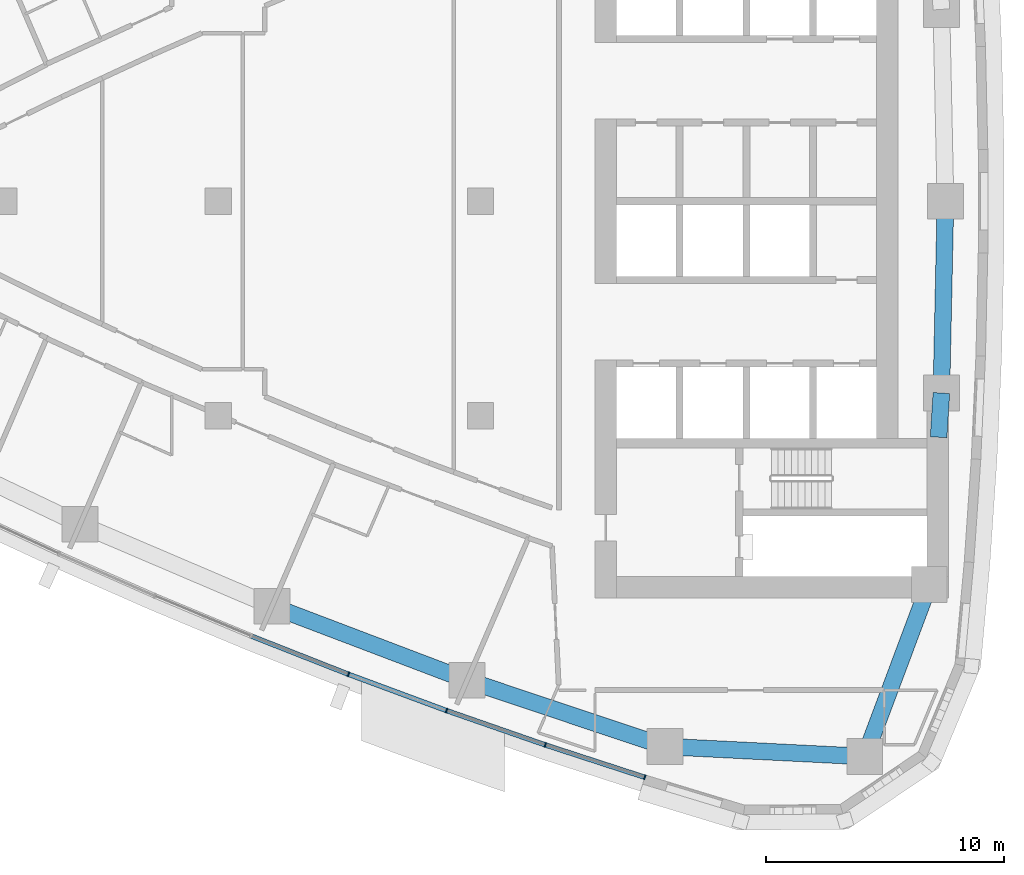
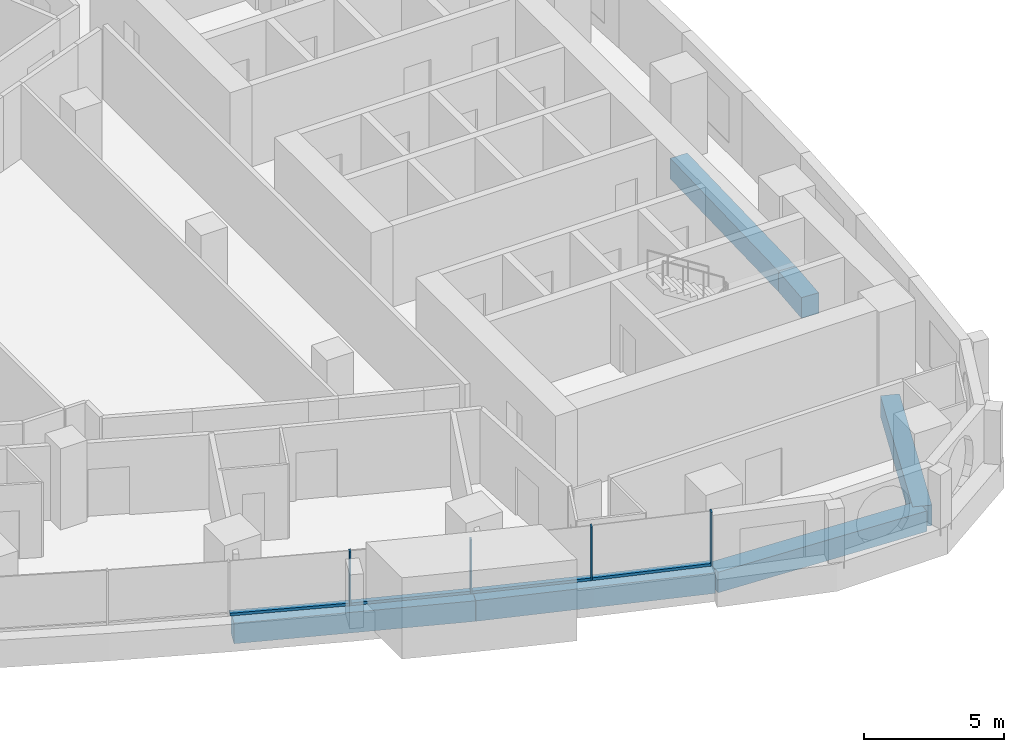
# One storey, part 3 of 17: 8 members, 6 beams, 2 elements without a shape of their own.
"""IFC4 building model written with IfcOpenShell, lengths in metres."""

import ifcopenshell
import ifcopenshell.guid

model = None  # the IFC model being written
_history = None  # IfcOwnerHistory: only IFC2X3 demands one
_inside = {}  # id of a spatial element -> (the spatial element, [elements in it])
_under = {}  # id of a project, library or spatial element -> (it, [spatial elements below it])
_declared = {}  # id of a project -> (the project, [libraries it declares])
_typed = {}  # id of a type object -> (the type object, [elements of that type])
_made_of = {}  # id of a material, layer set ... -> (it, [elements and type objects made of it])


def new_model(schema):
    """Start an empty IFC model of exactly this schema.

    Asked for "IFC4X3", IfcOpenShell would pick the latest addendum, in which some entities
    have other attributes; the version numbers below select the first issue.
    IFC2X3 requires an IfcOwnerHistory on every rooted entity: one is made here for all.
    """
    global model, _history
    if schema == "IFC4X3":
        model = ifcopenshell.file(schema_version=(4, 3, 0, 0))
    else:
        model = ifcopenshell.file(schema=schema)
    _inside.clear()
    _under.clear()
    _declared.clear()
    _typed.clear()
    _made_of.clear()
    _history = None
    if model.schema == "IFC2X3":
        org = make("IfcOrganization", Name="unknown")
        user = make(
            "IfcPersonAndOrganization",
            ThePerson=make("IfcPerson", FamilyName="unknown"),
            TheOrganization=org,
        )
        app = make(
            "IfcApplication",
            ApplicationDeveloper=org,
            Version="unknown",
            ApplicationFullName="unknown",
            ApplicationIdentifier="unknown",
        )
        _history = make(
            "IfcOwnerHistory",
            OwningUser=user,
            OwningApplication=app,
            ChangeAction="ADDED",
            CreationDate=0,
        )
    return model


def make(cls, **values):
    """One entity of the class cls with the attributes given. An attribute that is None is left unset."""
    return model.create_entity(
        cls, **{name: value for name, value in values.items() if value is not None}
    )


def rooted(cls, **values):
    """An entity with a GlobalId (a new one), such as an element, a storey or a relation."""
    return make(cls, GlobalId=ifcopenshell.guid.new(), OwnerHistory=_history, **values)


def si_unit(unit_type, name, prefix=None):
    """IfcSIUnit, for example si_unit("LENGTHUNIT", "METRE", prefix="MILLI")."""
    return make("IfcSIUnit", UnitType=unit_type, Prefix=prefix, Name=name)


def assignment(units):
    """IfcUnitAssignment: the units of a project."""
    return None if units is None else make("IfcUnitAssignment", Units=units)


def point(xyz):
    """IfcCartesianPoint."""
    return None if xyz is None else make("IfcCartesianPoint", Coordinates=xyz)


def direction(xyz):
    """IfcDirection."""
    return None if xyz is None else make("IfcDirection", DirectionRatios=xyz)


def frame(location, z_axis=None, x_axis=None):
    """IfcAxis2Placement3D, a coordinate frame: its origin and axes. An axis left out is left unset."""
    return make(
        "IfcAxis2Placement3D",
        Location=point(location),
        Axis=direction(z_axis),
        RefDirection=direction(x_axis),
    )


def frame_2d(location, x_axis=None):
    """IfcAxis2Placement2D, a coordinate frame in the plane: its origin and x axis."""
    return make(
        "IfcAxis2Placement2D", Location=point(location), RefDirection=direction(x_axis)
    )


def origin():
    """The frame at (0, 0, 0) with its axes left unset."""
    return frame((0.0, 0.0, 0.0))


def origin_2d():
    """The frame at (0, 0) in the plane with its x axis left unset."""
    return frame_2d((0.0, 0.0))


def place(relative_to, where):
    """IfcLocalPlacement: puts the frame where relative to a parent placement (None: the world)."""
    return make(
        "IfcLocalPlacement", PlacementRelTo=relative_to, RelativePlacement=where
    )


def context(
    kind, dimensions, precision=None, world=None, true_north=None, identifier=None
):
    """IfcGeometricRepresentationContext, for example the 3D "Model" context."""
    return make(
        "IfcGeometricRepresentationContext",
        ContextIdentifier=identifier,
        ContextType=kind,
        CoordinateSpaceDimension=dimensions,
        Precision=precision,
        WorldCoordinateSystem=world,
        TrueNorth=true_north,
    )


def subcontext(parent, identifier, kind, view, scale=None):
    """IfcGeometricRepresentationSubContext, for example "Body" below "Model"."""
    return make(
        "IfcGeometricRepresentationSubContext",
        ContextIdentifier=identifier,
        ContextType=kind,
        ParentContext=parent,
        TargetScale=scale,
        TargetView=view,
    )


def project(units=None, contexts=None):
    """IfcProject with its units and contexts."""
    return rooted(
        "IfcProject",
        Name="project",
        RepresentationContexts=contexts,
        UnitsInContext=assignment(units),
    )


def spatial(cls, under=None, at=None, **own):
    """A site, building, storey or space (cls), placed at a placement, below another one or the project."""
    s = rooted(cls, ObjectPlacement=at, **own)
    if under is not None:
        _under.setdefault(under.id(), (under, []))[1].append(s)
    return s


def profile(cls, at=None, kind="AREA", **sizes):
    """A parametric profile (cls). Its sizes go by their IFC names, for example OverallWidth=200.0."""
    return make(cls, ProfileType=kind, Position=at, **sizes)


def rectangle(**sizes):
    """IfcRectangleProfileDef."""
    return profile("IfcRectangleProfileDef", **sizes)


def extrude(swept, where, along, depth):
    """IfcExtrudedAreaSolid: the profile swept, set in the frame where, extruded along a direction by depth."""
    return make(
        "IfcExtrudedAreaSolid",
        SweptArea=swept,
        Position=where,
        ExtrudedDirection=direction(along),
        Depth=depth,
    )


def shape(context_of_items, identifier, shape_type, items):
    """IfcShapeRepresentation: the items that make up one representation, for example the "Body"."""
    return make(
        "IfcShapeRepresentation",
        ContextOfItems=context_of_items,
        RepresentationIdentifier=identifier,
        RepresentationType=shape_type,
        Items=items,
    )


def material(Name=None, Category=None):
    """IfcMaterial."""
    return make("IfcMaterial", Name=Name, Category=Category)


def layer(
    of_material, thickness, ventilated=None, Name=None, Category=None, Priority=None
):
    """IfcMaterialLayer: one layer of a wall or slab, of a material (None: an air gap)."""
    return make(
        "IfcMaterialLayer",
        Material=of_material,
        LayerThickness=thickness,
        IsVentilated=ventilated,
        Name=Name,
        Category=Category,
        Priority=Priority,
    )


def layer_set(layers, Name=None):
    """IfcMaterialLayerSet."""
    return make("IfcMaterialLayerSet", MaterialLayers=layers, LayerSetName=Name)


def material_profile(
    of_material, cross_section, Name=None, Category=None, Priority=None
):
    """IfcMaterialProfile: a cross section and its material."""
    return make(
        "IfcMaterialProfile",
        Name=Name,
        Material=of_material,
        Profile=cross_section,
        Priority=Priority,
        Category=Category,
    )


def profile_set(profiles, Name=None, composite=None):
    """IfcMaterialProfileSet."""
    return make(
        "IfcMaterialProfileSet",
        Name=Name,
        MaterialProfiles=profiles,
        CompositeProfile=composite,
    )


def made_of(thing, what):
    """Note that an element or type object is made of a material, layer set ...; save() writes the relation."""
    if what is not None:
        _made_of.setdefault(what.id(), (what, []))[1].append(thing)
    return thing


def type_object(cls, material=None, **own):
    """A type object (cls), such as IfcWallType, which elements share."""
    return made_of(rooted(cls, **own), material)


def element(
    cls,
    number,
    at=None,
    inside=None,
    cuts=None,
    type_object=None,
    material=None,
    context=None,
    identifier="Body",
    shape_type=None,
    held_by="IfcProductDefinitionShape",
    body=None,
    shapes=None,
    **own,
):
    """One element of the class cls, such as IfcWall. Its Tag is "e" and its number.

    at: its placement. inside: the storey or other place that contains it. cuts: it is an
    opening in that element (IfcRelVoidsElement). A single representation is given by context,
    identifier, shape_type and body (its items); several are given by shapes. held_by: the class
    of the entity that holds the representations. save() writes the other relations.
    """
    e = rooted(cls, Tag="e%d" % number, ObjectPlacement=at, **own)
    if body is not None:
        shapes = [shape(context, identifier, shape_type, body)]
    if shapes is not None:
        e.Representation = make(held_by, Representations=shapes)
    if inside is not None:
        _inside.setdefault(inside.id(), (inside, []))[1].append(e)
    if cuts is not None:
        rooted(
            "IfcRelVoidsElement", RelatingBuildingElement=cuts, RelatedOpeningElement=e
        )
    if type_object is not None:
        _typed.setdefault(type_object.id(), (type_object, []))[1].append(e)
    return made_of(e, material)


def aggregate(whole, parts):
    """IfcRelAggregates: a whole, such as a stair, and the parts it consists of."""
    return rooted("IfcRelAggregates", RelatingObject=whole, RelatedObjects=parts)


def save(model, path):
    """Write the relations noted so far, then the file.

    IfcRelAggregates (storeys below a building ...), IfcRelContainedInSpatialStructure (elements
    in a storey), IfcRelDefinesByType, IfcRelAssociatesMaterial and IfcRelDeclares: one each for
    every whole, place, type object, material and project.
    """
    for whole, parts in _under.values():
        aggregate(whole, parts)
    for where, things in _inside.values():
        rooted(
            "IfcRelContainedInSpatialStructure",
            RelatedElements=things,
            RelatingStructure=where,
        )
    for kind, things in _typed.values():
        rooted("IfcRelDefinesByType", RelatedObjects=things, RelatingType=kind)
    for what, things in _made_of.values():
        rooted("IfcRelAssociatesMaterial", RelatedObjects=things, RelatingMaterial=what)
    for by, libraries in _declared.values():
        rooted("IfcRelDeclares", RelatingContext=by, RelatedDefinitions=libraries)
    model.write(path)


model = new_model("IFC4")

# Units and contexts
model_context = context("Model", 3, precision=1e-05, world=origin(), true_north=direction((0.0, 1.0)))
body_context = subcontext(model_context, "Body", "Model", "MODEL_VIEW")
ifc_project = project(units=[si_unit("LENGTHUNIT", "METRE"), si_unit("AREAUNIT", "SQUARE_METRE"), si_unit("VOLUMEUNIT", "CUBIC_METRE"), si_unit("PLANEANGLEUNIT", "RADIAN"), si_unit("MASSUNIT", "GRAM", prefix="KILO")], contexts=[model_context])

# Site, building, storey
site_placement = place(None, origin())
site = spatial("IfcSite", under=ifc_project, at=site_placement, CompositionType="ELEMENT")
building_placement = place(site_placement, origin())
building = spatial("IfcBuilding", under=site, at=building_placement, Name="Ostrand Prow Hotel Tower", CompositionType="ELEMENT")
storey_placement = place(building_placement, frame((0.0, 0.0, 155.050048828125)))
storey = spatial("IfcBuildingStorey", under=building, at=storey_placement, Name="L38", CompositionType="ELEMENT", Elevation=155.050048828125)

# Beams
ifc_material_1 = material(Name="Concrete C70/85", Category="concrete")
ifc_material_profile_1 = material_profile(ifc_material_1, rectangle(XDim=0.699951171875, YDim=0.89990234375, at=origin_2d()), Name="RC 700x900")
ifc_profile_set_1 = profile_set([ifc_material_profile_1], Name="Concrete C70/85")
beam_type = type_object("IfcBeamType", Name="Edge beam 700x900 C70/85", PredefinedType="SPANDREL", material=ifc_profile_set_1)
for number, where, z_axis, x_axis, name in (
    (1, (36.255615234375, -16.98388671875, -0.75), (0.93479358236, -0.355191439055, 0.0), (0.355191439055, 0.93479358236, 0.0), "Edge beam S4-S5"),
    (2, (44.438232421875, -20.093017578125, -0.75), (0.948376051094, -0.317148018616, 0.0), (0.317148018616, 0.948376051094, 0.0), "Edge beam S5-S6"),
):
    element("IfcBeam", number, at=place(storey_placement, frame(where, z_axis=z_axis, x_axis=x_axis)), inside=storey, type_object=beam_type, Name=name, PredefinedType="SPANDREL", context=body_context, shape_type="SweptSolid", body=[
        extrude(rectangle(XDim=0.699951171875, YDim=0.89990234375, at=origin_2d()), origin(), (0.0, 0.0, 1.0), 8.75341796875),
    ])
beam_1_placement = place(storey_placement, frame((52.73974609375, -22.869140625, -0.75), z_axis=(0.99873741544, -0.050235196825, 0.0), x_axis=(0.050235196825, 0.99873741544, 0.0)))
element("IfcBeam", 3, at=beam_1_placement, inside=storey, type_object=beam_type, Name="Edge beam S6-SE", PredefinedType="SPANDREL", context=body_context, shape_type="SweptSolid", body=[
    extrude(rectangle(XDim=0.699951171875, YDim=0.89990234375, at=origin_2d()), origin(), (0.0, 0.0, 1.0), 8.38818359375),
])
beam_2_placement = place(storey_placement, frame((61.117431640625, -23.29052734375, -0.75), z_axis=(0.350602524344, 0.93652435629, 0.0), x_axis=(-0.93652435629, 0.350602524344, 0.0)))
element("IfcBeam", 4, at=beam_2_placement, inside=storey, type_object=beam_type, Name="Edge beam SE-B1", PredefinedType="SPANDREL", context=body_context, shape_type="SweptSolid", body=[
    extrude(rectangle(XDim=0.699951171875, YDim=0.89990234375, at=origin_2d()), origin(), (0.0, 0.0, 1.0), 7.037353515625),
])
beam_3_placement = place(storey_placement, frame((64.21142578125, -9.89990234375, -0.75), z_axis=(0.063563790544, 0.997977777574, 0.0), x_axis=(-0.997977777574, 0.063563790544, 0.0)))
element("IfcBeam", 5, at=beam_3_placement, inside=storey, type_object=beam_type, Name="Edge beam B1-B2", PredefinedType="SPANDREL", context=body_context, shape_type="SweptSolid", body=[
    extrude(rectangle(XDim=0.699951171875, YDim=0.89990234375, at=origin_2d()), origin(), (0.0, 0.0, 1.0), 1.85888671875),
])
beam_4_placement = place(storey_placement, frame((64.32958984375, -8.044677734375, -0.75), z_axis=(0.021178217658, 0.999775716397, 0.0), x_axis=(-0.999775716397, 0.021178217658, 0.0)))
element("IfcBeam", 6, at=beam_4_placement, inside=storey, type_object=beam_type, Name="Edge beam B2-B3", PredefinedType="SPANDREL", context=body_context, shape_type="SweptSolid", body=[
    extrude(rectangle(XDim=0.699951171875, YDim=0.89990234375, at=origin_2d()), origin(), (0.0, 0.0, 1.0), 8.04638671875),
])

# Curtain wall, members
ifc_material_2 = material(Name="Insulated glass in bronze anodised frame", Category="glass")
ifc_layer = layer(ifc_material_2, 0.199951171875)
ifc_layer_set = layer_set([ifc_layer], Name="Insulated glass in bronze anodised frame")
curtain_wall_type = type_object("IfcCurtainWallType", Name="Strip curtain wall, fritted glass over bronze spandrel", PredefinedType="NOTDEFINED", material=ifc_layer_set)
curtain_wall_1_placement = place(storey_placement, origin())
curtain_wall_1 = element("IfcCurtainWall", 7, at=curtain_wall_1_placement, inside=storey, type_object=curtain_wall_type, Name="CW1 run CWS4", PredefinedType="NOTDEFINED")
ifc_material_3 = material(Name="Bronze anodised aluminium", Category="aluminium")
ifc_material_profile_2 = material_profile(ifc_material_3, rectangle(XDim=0.199951171875, YDim=0.06005859375, at=origin_2d()), Name="Mullion 60x200 bronze anodised aluminium")
ifc_profile_set_2 = profile_set([ifc_material_profile_2], Name="Bronze anodised aluminium")
member_type_1 = type_object("IfcMemberType", Name="Mullion 60x200 bronze anodised aluminium", PredefinedType="MULLION", material=ifc_profile_set_2)
member_1_placement = place(storey_placement, frame((39.462158203125, -19.8408203125, 0.89990234375), z_axis=(0.0, 0.0, 1.0), x_axis=(0.347341576459, 0.937738678558, 0.0)))
member_1 = element("IfcMember", 8, at=member_1_placement, type_object=member_type_1, Name="CW1 mullion 2", PredefinedType="MULLION", context=body_context, shape_type="SweptSolid", body=[
    extrude(rectangle(XDim=0.199951171875, YDim=0.06005859375, at=origin_2d()), origin(), (0.0, 0.0, 1.0), 2.35009765625),
])
member_2_placement = place(storey_placement, frame((43.5751953125, -21.3642578125, 0.89990234375), z_axis=(0.0, 0.0, 1.0), x_axis=(0.347341576459, 0.937738678558, 0.0)))
member_2 = element("IfcMember", 9, at=member_2_placement, type_object=member_type_1, Name="CW1 mullion 3", PredefinedType="MULLION", context=body_context, shape_type="SweptSolid", body=[
    extrude(rectangle(XDim=0.199951171875, YDim=0.06005859375, at=origin_2d()), origin(), (0.0, 0.0, 1.0), 2.35009765625),
])

curtain_wall_2_placement = place(storey_placement, origin())
curtain_wall_2 = element("IfcCurtainWall", 10, at=curtain_wall_2_placement, inside=storey, type_object=curtain_wall_type, Name="CW1 run CWS5", PredefinedType="NOTDEFINED")
member_3_placement = place(storey_placement, frame((47.718017578125, -22.8046875, 0.89990234375), z_axis=(0.0, 0.0, 1.0), x_axis=(0.309380491373, 0.950938332153, 0.0)))
member_3 = element("IfcMember", 11, at=member_3_placement, type_object=member_type_1, Name="CW1 mullion 2", PredefinedType="MULLION", context=body_context, shape_type="SweptSolid", body=[
    extrude(rectangle(XDim=0.199951171875, YDim=0.06005859375, at=origin_2d()), origin(), (0.0, 0.0, 1.0), 2.35009765625),
])
member_4_placement = place(storey_placement, frame((51.888916015625, -24.16162109375, 0.89990234375), z_axis=(0.0, 0.0, 1.0), x_axis=(0.309380491373, 0.950938332153, 0.0)))
member_4 = element("IfcMember", 12, at=member_4_placement, type_object=member_type_1, Name="CW1 mullion 3", PredefinedType="MULLION", context=body_context, shape_type="SweptSolid", body=[
    extrude(rectangle(XDim=0.199951171875, YDim=0.06005859375, at=origin_2d()), origin(), (0.0, 0.0, 1.0), 2.35009765625),
])

# Member
ifc_material_4 = material(Name="Bronze anodised aluminium", Category="aluminium")
ifc_material_profile_3 = material_profile(ifc_material_4, rectangle(XDim=0.199951171875, YDim=0.1201171875, at=origin_2d()), Name="Transom 120x200 bronze anodised aluminium")
ifc_profile_set_3 = profile_set([ifc_material_profile_3], Name="Bronze anodised aluminium")
member_type_2 = type_object("IfcMemberType", Name="Transom 120x200 bronze anodised aluminium", PredefinedType="USERDEFINED", material=ifc_profile_set_3)
member_5_placement = place(storey_placement, frame((35.408447265625, -18.245849609375, 0.9599609375), z_axis=(0.930563430162, -0.366130717701, 0.0), x_axis=(0.366130717701, 0.930563430162, 0.0)))
member_5 = element("IfcMember", 13, at=member_5_placement, type_object=member_type_2, Name="CW1 transom 1.1", ObjectType="TRANSOM", PredefinedType="USERDEFINED", context=body_context, shape_type="SweptSolid", body=[
    extrude(rectangle(XDim=0.199951171875, YDim=0.1201171875, at=origin_2d()), origin(), (0.0, 0.0, 1.0), 4.326171875),
])

member_6_placement = place(storey_placement, frame((39.490234375, -19.851318359375, 0.9599609375), z_axis=(0.937756929379, -0.347292299657, 0.0), x_axis=(0.347292299657, 0.937756929379, 0.0)))
member_6 = element("IfcMember", 14, at=member_6_placement, type_object=member_type_2, Name="CW1 transom 2.1", ObjectType="TRANSOM", PredefinedType="USERDEFINED", context=body_context, shape_type="SweptSolid", body=[
    extrude(rectangle(XDim=0.199951171875, YDim=0.1201171875, at=origin_2d()), origin(), (0.0, 0.0, 1.0), 4.326171875),
])

aggregate(curtain_wall_1, [member_1, member_2, member_5, member_6])

member_7_placement = place(storey_placement, frame((43.603515625, -21.3740234375, 0.9599609375), z_axis=(0.944524201162, -0.328441826538, 0.0), x_axis=(0.328441826538, 0.944524201162, 0.0)))
member_7 = element("IfcMember", 15, at=member_7_placement, type_object=member_type_2, Name="CW1 transom 1.1", ObjectType="TRANSOM", PredefinedType="USERDEFINED", context=body_context, shape_type="SweptSolid", body=[
    extrude(rectangle(XDim=0.199951171875, YDim=0.1201171875, at=origin_2d()), origin(), (0.0, 0.0, 1.0), 4.326171875),
])

member_8_placement = place(storey_placement, frame((47.74658203125, -22.81396484375, 0.9599609375), z_axis=(0.950938634958, -0.309379560643, 0.0), x_axis=(0.309379560643, 0.950938634958, 0.0)))
member_8 = element("IfcMember", 16, at=member_8_placement, type_object=member_type_2, Name="CW1 transom 2.1", ObjectType="TRANSOM", PredefinedType="USERDEFINED", context=body_context, shape_type="SweptSolid", body=[
    extrude(rectangle(XDim=0.199951171875, YDim=0.1201171875, at=origin_2d()), origin(), (0.0, 0.0, 1.0), 4.325927734375),
])

aggregate(curtain_wall_2, [member_3, member_4, member_7, member_8])

save(model, "model.ifc")
